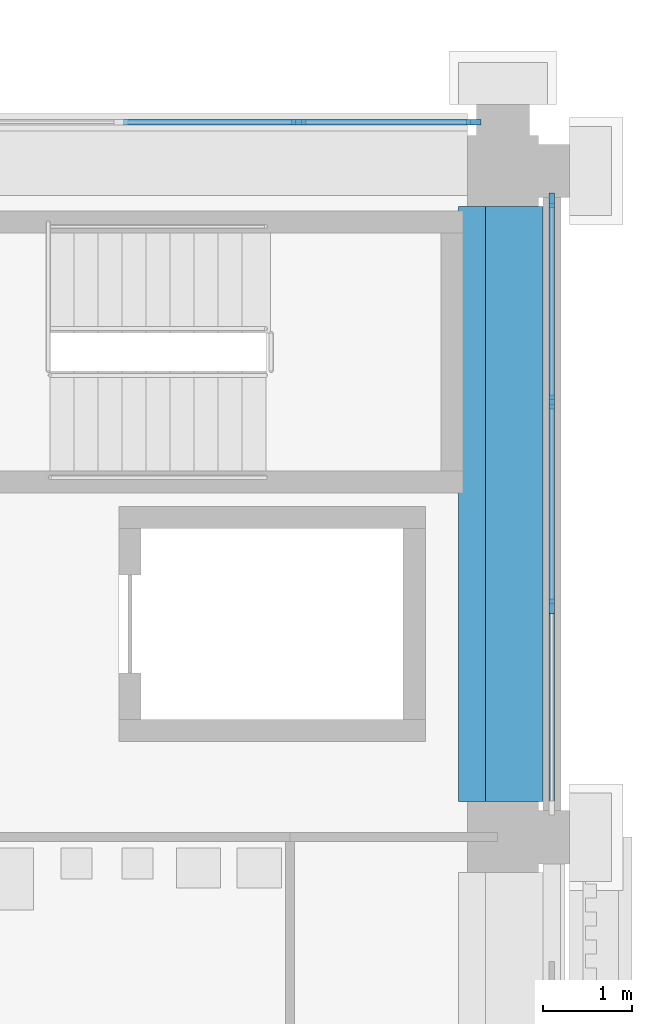
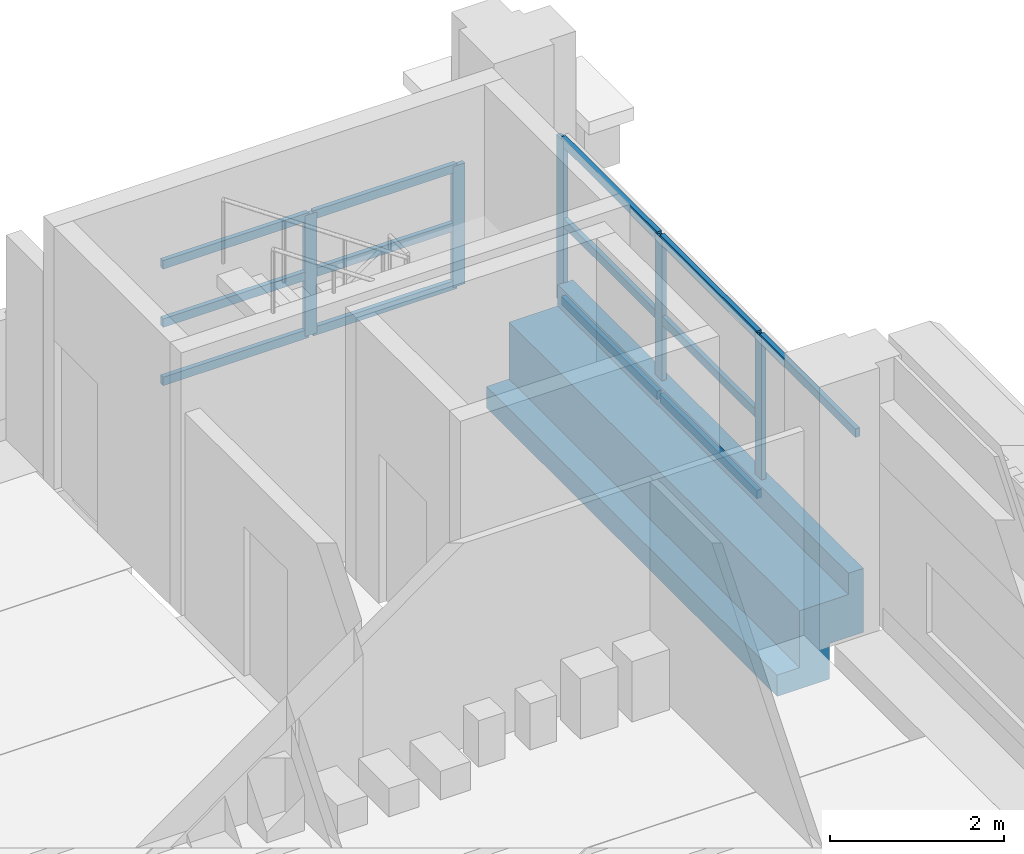
# One storey, part 21 of 71: 18 members, 1 beam, 2 elements without a shape of their own.
"""IFC4 building model written with IfcOpenShell, lengths in metres."""

import ifcopenshell
import ifcopenshell.guid

model = None  # the IFC model being written
_history = None  # IfcOwnerHistory: only IFC2X3 demands one
_inside = {}  # id of a spatial element -> (the spatial element, [elements in it])
_under = {}  # id of a project, library or spatial element -> (it, [spatial elements below it])
_declared = {}  # id of a project -> (the project, [libraries it declares])
_typed = {}  # id of a type object -> (the type object, [elements of that type])
_made_of = {}  # id of a material, layer set ... -> (it, [elements and type objects made of it])


def new_model(schema):
    """Start an empty IFC model of exactly this schema.

    Asked for "IFC4X3", IfcOpenShell would pick the latest addendum, in which some entities
    have other attributes; the version numbers below select the first issue.
    IFC2X3 requires an IfcOwnerHistory on every rooted entity: one is made here for all.
    """
    global model, _history
    if schema == "IFC4X3":
        model = ifcopenshell.file(schema_version=(4, 3, 0, 0))
    else:
        model = ifcopenshell.file(schema=schema)
    _inside.clear()
    _under.clear()
    _declared.clear()
    _typed.clear()
    _made_of.clear()
    _history = None
    if model.schema == "IFC2X3":
        org = make("IfcOrganization", Name="unknown")
        user = make(
            "IfcPersonAndOrganization",
            ThePerson=make("IfcPerson", FamilyName="unknown"),
            TheOrganization=org,
        )
        app = make(
            "IfcApplication",
            ApplicationDeveloper=org,
            Version="unknown",
            ApplicationFullName="unknown",
            ApplicationIdentifier="unknown",
        )
        _history = make(
            "IfcOwnerHistory",
            OwningUser=user,
            OwningApplication=app,
            ChangeAction="ADDED",
            CreationDate=0,
        )
    return model


def make(cls, **values):
    """One entity of the class cls with the attributes given. An attribute that is None is left unset."""
    return model.create_entity(
        cls, **{name: value for name, value in values.items() if value is not None}
    )


def rooted(cls, **values):
    """An entity with a GlobalId (a new one), such as an element, a storey or a relation."""
    return make(cls, GlobalId=ifcopenshell.guid.new(), OwnerHistory=_history, **values)


def si_unit(unit_type, name, prefix=None):
    """IfcSIUnit, for example si_unit("LENGTHUNIT", "METRE", prefix="MILLI")."""
    return make("IfcSIUnit", UnitType=unit_type, Prefix=prefix, Name=name)


def assignment(units):
    """IfcUnitAssignment: the units of a project."""
    return None if units is None else make("IfcUnitAssignment", Units=units)


def point(xyz):
    """IfcCartesianPoint."""
    return None if xyz is None else make("IfcCartesianPoint", Coordinates=xyz)


def direction(xyz):
    """IfcDirection."""
    return None if xyz is None else make("IfcDirection", DirectionRatios=xyz)


def frame(location, z_axis=None, x_axis=None):
    """IfcAxis2Placement3D, a coordinate frame: its origin and axes. An axis left out is left unset."""
    return make(
        "IfcAxis2Placement3D",
        Location=point(location),
        Axis=direction(z_axis),
        RefDirection=direction(x_axis),
    )


def frame_2d(location, x_axis=None):
    """IfcAxis2Placement2D, a coordinate frame in the plane: its origin and x axis."""
    return make(
        "IfcAxis2Placement2D", Location=point(location), RefDirection=direction(x_axis)
    )


def origin():
    """The frame at (0, 0, 0) with its axes left unset."""
    return frame((0.0, 0.0, 0.0))


def origin_2d():
    """The frame at (0, 0) in the plane with its x axis left unset."""
    return frame_2d((0.0, 0.0))


def place(relative_to, where):
    """IfcLocalPlacement: puts the frame where relative to a parent placement (None: the world)."""
    return make(
        "IfcLocalPlacement", PlacementRelTo=relative_to, RelativePlacement=where
    )


def context(
    kind, dimensions, precision=None, world=None, true_north=None, identifier=None
):
    """IfcGeometricRepresentationContext, for example the 3D "Model" context."""
    return make(
        "IfcGeometricRepresentationContext",
        ContextIdentifier=identifier,
        ContextType=kind,
        CoordinateSpaceDimension=dimensions,
        Precision=precision,
        WorldCoordinateSystem=world,
        TrueNorth=true_north,
    )


def subcontext(parent, identifier, kind, view, scale=None):
    """IfcGeometricRepresentationSubContext, for example "Body" below "Model"."""
    return make(
        "IfcGeometricRepresentationSubContext",
        ContextIdentifier=identifier,
        ContextType=kind,
        ParentContext=parent,
        TargetScale=scale,
        TargetView=view,
    )


def project(units=None, contexts=None):
    """IfcProject with its units and contexts."""
    return rooted(
        "IfcProject",
        Name="project",
        RepresentationContexts=contexts,
        UnitsInContext=assignment(units),
    )


def spatial(cls, under=None, at=None, **own):
    """A site, building, storey or space (cls), placed at a placement, below another one or the project."""
    s = rooted(cls, ObjectPlacement=at, **own)
    if under is not None:
        _under.setdefault(under.id(), (under, []))[1].append(s)
    return s


def polyline(points):
    """IfcPolyline through the points."""
    return make("IfcPolyline", Points=[point(p) for p in points])


def profile(cls, at=None, kind="AREA", **sizes):
    """A parametric profile (cls). Its sizes go by their IFC names, for example OverallWidth=200.0."""
    return make(cls, ProfileType=kind, Position=at, **sizes)


def rectangle(**sizes):
    """IfcRectangleProfileDef."""
    return profile("IfcRectangleProfileDef", **sizes)


def outline(outer, holes=None, kind="AREA"):
    """IfcArbitraryClosedProfileDef: a profile drawn as a closed curve; with holes, ...WithVoids."""
    if holes is None:
        return make("IfcArbitraryClosedProfileDef", ProfileType=kind, OuterCurve=outer)
    return make(
        "IfcArbitraryProfileDefWithVoids",
        ProfileType=kind,
        OuterCurve=outer,
        InnerCurves=holes,
    )


def extrude(swept, where, along, depth):
    """IfcExtrudedAreaSolid: the profile swept, set in the frame where, extruded along a direction by depth."""
    return make(
        "IfcExtrudedAreaSolid",
        SweptArea=swept,
        Position=where,
        ExtrudedDirection=direction(along),
        Depth=depth,
    )


def shape(context_of_items, identifier, shape_type, items):
    """IfcShapeRepresentation: the items that make up one representation, for example the "Body"."""
    return make(
        "IfcShapeRepresentation",
        ContextOfItems=context_of_items,
        RepresentationIdentifier=identifier,
        RepresentationType=shape_type,
        Items=items,
    )


def material(Name=None, Category=None):
    """IfcMaterial."""
    return make("IfcMaterial", Name=Name, Category=Category)


def layer(
    of_material, thickness, ventilated=None, Name=None, Category=None, Priority=None
):
    """IfcMaterialLayer: one layer of a wall or slab, of a material (None: an air gap)."""
    return make(
        "IfcMaterialLayer",
        Material=of_material,
        LayerThickness=thickness,
        IsVentilated=ventilated,
        Name=Name,
        Category=Category,
        Priority=Priority,
    )


def layer_set(layers, Name=None):
    """IfcMaterialLayerSet."""
    return make("IfcMaterialLayerSet", MaterialLayers=layers, LayerSetName=Name)


def material_profile(
    of_material, cross_section, Name=None, Category=None, Priority=None
):
    """IfcMaterialProfile: a cross section and its material."""
    return make(
        "IfcMaterialProfile",
        Name=Name,
        Material=of_material,
        Profile=cross_section,
        Priority=Priority,
        Category=Category,
    )


def profile_set(profiles, Name=None, composite=None):
    """IfcMaterialProfileSet."""
    return make(
        "IfcMaterialProfileSet",
        Name=Name,
        MaterialProfiles=profiles,
        CompositeProfile=composite,
    )


def made_of(thing, what):
    """Note that an element or type object is made of a material, layer set ...; save() writes the relation."""
    if what is not None:
        _made_of.setdefault(what.id(), (what, []))[1].append(thing)
    return thing


def type_object(cls, material=None, **own):
    """A type object (cls), such as IfcWallType, which elements share."""
    return made_of(rooted(cls, **own), material)


def element(
    cls,
    number,
    at=None,
    inside=None,
    cuts=None,
    type_object=None,
    material=None,
    context=None,
    identifier="Body",
    shape_type=None,
    held_by="IfcProductDefinitionShape",
    body=None,
    shapes=None,
    **own,
):
    """One element of the class cls, such as IfcWall. Its Tag is "e" and its number.

    at: its placement. inside: the storey or other place that contains it. cuts: it is an
    opening in that element (IfcRelVoidsElement). A single representation is given by context,
    identifier, shape_type and body (its items); several are given by shapes. held_by: the class
    of the entity that holds the representations. save() writes the other relations.
    """
    e = rooted(cls, Tag="e%d" % number, ObjectPlacement=at, **own)
    if body is not None:
        shapes = [shape(context, identifier, shape_type, body)]
    if shapes is not None:
        e.Representation = make(held_by, Representations=shapes)
    if inside is not None:
        _inside.setdefault(inside.id(), (inside, []))[1].append(e)
    if cuts is not None:
        rooted(
            "IfcRelVoidsElement", RelatingBuildingElement=cuts, RelatedOpeningElement=e
        )
    if type_object is not None:
        _typed.setdefault(type_object.id(), (type_object, []))[1].append(e)
    return made_of(e, material)


def aggregate(whole, parts):
    """IfcRelAggregates: a whole, such as a stair, and the parts it consists of."""
    return rooted("IfcRelAggregates", RelatingObject=whole, RelatedObjects=parts)


def save(model, path):
    """Write the relations noted so far, then the file.

    IfcRelAggregates (storeys below a building ...), IfcRelContainedInSpatialStructure (elements
    in a storey), IfcRelDefinesByType, IfcRelAssociatesMaterial and IfcRelDeclares: one each for
    every whole, place, type object, material and project.
    """
    for whole, parts in _under.values():
        aggregate(whole, parts)
    for where, things in _inside.values():
        rooted(
            "IfcRelContainedInSpatialStructure",
            RelatedElements=things,
            RelatingStructure=where,
        )
    for kind, things in _typed.values():
        rooted("IfcRelDefinesByType", RelatedObjects=things, RelatingType=kind)
    for what, things in _made_of.values():
        rooted("IfcRelAssociatesMaterial", RelatedObjects=things, RelatingMaterial=what)
    for by, libraries in _declared.values():
        rooted("IfcRelDeclares", RelatingContext=by, RelatedDefinitions=libraries)
    model.write(path)


model = new_model("IFC4")

# Units and contexts
model_context = context("Model", 3, precision=1e-05, world=origin(), true_north=direction((0.0, 1.0)))
body_context = subcontext(model_context, "Body", "Model", "MODEL_VIEW")
ifc_project = project(units=[si_unit("LENGTHUNIT", "METRE"), si_unit("AREAUNIT", "SQUARE_METRE"), si_unit("VOLUMEUNIT", "CUBIC_METRE"), si_unit("PLANEANGLEUNIT", "RADIAN"), si_unit("MASSUNIT", "GRAM", prefix="KILO")], contexts=[model_context])

# Site, building, storey
site_placement = place(None, origin())
site = spatial("IfcSite", under=ifc_project, at=site_placement, CompositionType="ELEMENT")
building_placement = place(site_placement, origin())
building = spatial("IfcBuilding", under=site, at=building_placement, Name="Cour d'Honneur Mobility Palace", CompositionType="ELEMENT")
storey_placement = place(building_placement, frame((0.0, 0.0, 15.60009765625)))
storey = spatial("IfcBuildingStorey", under=building, at=storey_placement, Name="L04", CompositionType="ELEMENT", Elevation=15.60009765625)

# Curtain wall, members
ifc_material_1 = material(Name="Aluminium and glass", Category="aluminium")
ifc_layer = layer(ifc_material_1, 0.10009765625)
ifc_layer_set = layer_set([ifc_layer], Name="Aluminium and glass")
curtain_wall_type = type_object("IfcCurtainWallType", Name="Curtain wall run", PredefinedType="NOTDEFINED", material=ifc_layer_set)
curtain_wall_1_placement = place(storey_placement, origin())
curtain_wall_1 = element("IfcCurtainWall", 1, at=curtain_wall_1_placement, inside=storey, type_object=curtain_wall_type, Name="Curtain wall CW-119", PredefinedType="NOTDEFINED")
ifc_material_2 = material(Name="Aluminium", Category="aluminium")
ifc_material_profile_1 = material_profile(ifc_material_2, rectangle(XDim=0.06005859375, YDim=0.159912109375, at=origin_2d()), Name="Curtain wall mullion")
ifc_profile_set_1 = profile_set([ifc_material_profile_1], Name="Aluminium")
member_type_1 = type_object("IfcMemberType", Name="Curtain wall mullion", PredefinedType="MULLION", material=ifc_profile_set_1)
member_1_placement = place(storey_placement, frame((162.85009765625, 110.0, 0.0), z_axis=(0.0, 0.0, 1.0), x_axis=(-1.0, 0.0, 0.0)))
member_1 = element("IfcMember", 2, at=member_1_placement, type_object=member_type_1, Name="CW-119 mullion 2", PredefinedType="MULLION", context=body_context, shape_type="SweptSolid", body=[
    extrude(rectangle(XDim=0.06005859375, YDim=0.159912109375, at=origin_2d()), origin(), (0.0, 0.0, 1.0), 2.2998046875),
])
member_2_placement = place(storey_placement, frame((162.85009765625, 112.300048828125, 0.0), z_axis=(0.0, 0.0, 1.0), x_axis=(-1.0, 0.0, 0.0)))
member_2 = element("IfcMember", 3, at=member_2_placement, type_object=member_type_1, Name="CW-119 mullion 3", PredefinedType="MULLION", context=body_context, shape_type="SweptSolid", body=[
    extrude(rectangle(XDim=0.06005859375, YDim=0.159912109375, at=origin_2d()), origin(), (0.0, 0.0, 1.0), 2.2998046875),
])
member_3_placement = place(storey_placement, frame((162.85009765625, 114.570068359375, 0.0), z_axis=(0.0, 0.0, 1.0), x_axis=(-1.0, 0.0, 0.0)))
member_3 = element("IfcMember", 4, at=member_3_placement, type_object=member_type_1, Name="CW-119 mullion 4", PredefinedType="MULLION", context=body_context, shape_type="SweptSolid", body=[
    extrude(rectangle(XDim=0.06005859375, YDim=0.159912109375, at=origin_2d()), origin(), (0.0, 0.0, 1.0), 2.2998046875),
])

curtain_wall_2_placement = place(storey_placement, origin())
curtain_wall_2 = element("IfcCurtainWall", 5, at=curtain_wall_2_placement, inside=storey, type_object=curtain_wall_type, Name="Curtain wall CW-120", PredefinedType="NOTDEFINED")
member_4_placement = place(storey_placement, frame((161.969970703125, 115.449951171875, 0.0), z_axis=(0.0, 0.0, 1.0), x_axis=(0.0, -1.0, 0.0)))
member_4 = element("IfcMember", 6, at=member_4_placement, type_object=member_type_1, Name="CW-120 mullion 1", PredefinedType="MULLION", context=body_context, shape_type="SweptSolid", body=[
    extrude(rectangle(XDim=0.06005859375, YDim=0.159912109375, at=origin_2d()), origin(), (0.0, 0.0, 1.0), 1.699951171875),
])
member_5_placement = place(storey_placement, frame((160.0, 115.449951171875, 0.0), z_axis=(0.0, 0.0, 1.0), x_axis=(0.0, -1.0, 0.0)))
member_5 = element("IfcMember", 7, at=member_5_placement, type_object=member_type_1, Name="CW-120 mullion 2", PredefinedType="MULLION", context=body_context, shape_type="SweptSolid", body=[
    extrude(rectangle(XDim=0.06005859375, YDim=0.159912109375, at=origin_2d()), origin(), (0.0, 0.0, 1.0), 1.699951171875),
])

# Member
ifc_material_3 = material(Name="Aluminium", Category="aluminium")
ifc_material_profile_2 = material_profile(ifc_material_3, rectangle(XDim=0.06005859375, YDim=0.1201171875, at=origin_2d()), Name="Curtain wall transom")
ifc_profile_set_2 = profile_set([ifc_material_profile_2], Name="Aluminium")
member_type_2 = type_object("IfcMemberType", Name="Curtain wall transom", PredefinedType="USERDEFINED", material=ifc_profile_set_2)
member_6_placement = place(storey_placement, frame((162.85009765625, 107.760009765625, 2.27001953125), z_axis=(0.0, 1.0, 0.0), x_axis=(-1.0, 0.0, 0.0)))
member_6 = element("IfcMember", 8, at=member_6_placement, type_object=member_type_2, Name="CW-119 transom 1.3", ObjectType="TRANSOM", PredefinedType="USERDEFINED", context=body_context, shape_type="SweptSolid", body=[
    extrude(rectangle(XDim=0.06005859375, YDim=0.1201171875, at=origin_2d()), origin(), (0.0, 0.0, 1.0), 2.2099609375),
])

member_7_placement = place(storey_placement, frame((162.85009765625, 110.030029296875, 0.02978515625), z_axis=(0.0, 1.0, 0.0), x_axis=(-1.0, 0.0, 0.0)))
member_7 = element("IfcMember", 9, at=member_7_placement, type_object=member_type_2, Name="CW-119 transom 2.1", ObjectType="TRANSOM", PredefinedType="USERDEFINED", context=body_context, shape_type="SweptSolid", body=[
    extrude(rectangle(XDim=0.06005859375, YDim=0.1201171875, at=origin_2d()), origin(), (0.0, 0.0, 1.0), 2.239990234375),
])

member_8_placement = place(storey_placement, frame((162.85009765625, 110.030029296875, 1.14990234375), z_axis=(0.0, 1.0, 0.0), x_axis=(-1.0, 0.0, 0.0)))
member_8 = element("IfcMember", 10, at=member_8_placement, type_object=member_type_2, Name="CW-119 transom 2.2", ObjectType="TRANSOM", PredefinedType="USERDEFINED", context=body_context, shape_type="SweptSolid", body=[
    extrude(rectangle(XDim=0.06005859375, YDim=0.1201171875, at=origin_2d()), origin(), (0.0, 0.0, 1.0), 2.239990234375),
])

member_9_placement = place(storey_placement, frame((162.85009765625, 110.030029296875, 2.27001953125), z_axis=(0.0, 1.0, 0.0), x_axis=(-1.0, 0.0, 0.0)))
member_9 = element("IfcMember", 11, at=member_9_placement, type_object=member_type_2, Name="CW-119 transom 2.3", ObjectType="TRANSOM", PredefinedType="USERDEFINED", context=body_context, shape_type="SweptSolid", body=[
    extrude(rectangle(XDim=0.06005859375, YDim=0.1201171875, at=origin_2d()), origin(), (0.0, 0.0, 1.0), 2.239990234375),
])

member_10_placement = place(storey_placement, frame((162.85009765625, 112.330078125, 0.02978515625), z_axis=(0.0, 1.0, 0.0), x_axis=(-1.0, 0.0, 0.0)))
member_10 = element("IfcMember", 12, at=member_10_placement, type_object=member_type_2, Name="CW-119 transom 3.1", ObjectType="TRANSOM", PredefinedType="USERDEFINED", context=body_context, shape_type="SweptSolid", body=[
    extrude(rectangle(XDim=0.06005859375, YDim=0.1201171875, at=origin_2d()), origin(), (0.0, 0.0, 1.0), 2.2099609375),
])

member_11_placement = place(storey_placement, frame((162.85009765625, 112.330078125, 1.14990234375), z_axis=(0.0, 1.0, 0.0), x_axis=(-1.0, 0.0, 0.0)))
member_11 = element("IfcMember", 13, at=member_11_placement, type_object=member_type_2, Name="CW-119 transom 3.2", ObjectType="TRANSOM", PredefinedType="USERDEFINED", context=body_context, shape_type="SweptSolid", body=[
    extrude(rectangle(XDim=0.06005859375, YDim=0.1201171875, at=origin_2d()), origin(), (0.0, 0.0, 1.0), 2.2099609375),
])

member_12_placement = place(storey_placement, frame((162.85009765625, 112.330078125, 2.27001953125), z_axis=(0.0, 1.0, 0.0), x_axis=(-1.0, 0.0, 0.0)))
member_12 = element("IfcMember", 14, at=member_12_placement, type_object=member_type_2, Name="CW-119 transom 3.3", ObjectType="TRANSOM", PredefinedType="USERDEFINED", context=body_context, shape_type="SweptSolid", body=[
    extrude(rectangle(XDim=0.06005859375, YDim=0.1201171875, at=origin_2d()), origin(), (0.0, 0.0, 1.0), 2.2099609375),
])

aggregate(curtain_wall_1, [member_1, member_2, member_3, member_6, member_7, member_8, member_9, member_10, member_11, member_12])

member_13_placement = place(storey_placement, frame((161.93994140625, 115.449951171875, 0.02978515625), z_axis=(-1.0, 0.0, 0.0), x_axis=(0.0, -1.0, 0.0)))
member_13 = element("IfcMember", 15, at=member_13_placement, type_object=member_type_2, Name="CW-120 transom 1.1", ObjectType="TRANSOM", PredefinedType="USERDEFINED", context=body_context, shape_type="SweptSolid", body=[
    extrude(rectangle(XDim=0.06005859375, YDim=0.1201171875, at=origin_2d()), origin(), (0.0, 0.0, 1.0), 1.909912109375),
])

member_14_placement = place(storey_placement, frame((161.93994140625, 115.449951171875, 0.849853515625), z_axis=(-1.0, 0.0, 0.0), x_axis=(0.0, -1.0, 0.0)))
member_14 = element("IfcMember", 16, at=member_14_placement, type_object=member_type_2, Name="CW-120 transom 1.2", ObjectType="TRANSOM", PredefinedType="USERDEFINED", context=body_context, shape_type="SweptSolid", body=[
    extrude(rectangle(XDim=0.06005859375, YDim=0.1201171875, at=origin_2d()), origin(), (0.0, 0.0, 1.0), 1.909912109375),
])

member_15_placement = place(storey_placement, frame((161.93994140625, 115.449951171875, 1.669921875), z_axis=(-1.0, 0.0, 0.0), x_axis=(0.0, -1.0, 0.0)))
member_15 = element("IfcMember", 17, at=member_15_placement, type_object=member_type_2, Name="CW-120 transom 1.3", ObjectType="TRANSOM", PredefinedType="USERDEFINED", context=body_context, shape_type="SweptSolid", body=[
    extrude(rectangle(XDim=0.06005859375, YDim=0.1201171875, at=origin_2d()), origin(), (0.0, 0.0, 1.0), 1.909912109375),
])

member_16_placement = place(storey_placement, frame((159.969970703125, 115.449951171875, 0.02978515625), z_axis=(-1.0, 0.0, 0.0), x_axis=(0.0, -1.0, 0.0)))
member_16 = element("IfcMember", 18, at=member_16_placement, type_object=member_type_2, Name="CW-120 transom 2.1", ObjectType="TRANSOM", PredefinedType="USERDEFINED", context=body_context, shape_type="SweptSolid", body=[
    extrude(rectangle(XDim=0.06005859375, YDim=0.1201171875, at=origin_2d()), origin(), (0.0, 0.0, 1.0), 1.93994140625),
])

member_17_placement = place(storey_placement, frame((159.969970703125, 115.449951171875, 0.849853515625), z_axis=(-1.0, 0.0, 0.0), x_axis=(0.0, -1.0, 0.0)))
member_17 = element("IfcMember", 19, at=member_17_placement, type_object=member_type_2, Name="CW-120 transom 2.2", ObjectType="TRANSOM", PredefinedType="USERDEFINED", context=body_context, shape_type="SweptSolid", body=[
    extrude(rectangle(XDim=0.06005859375, YDim=0.1201171875, at=origin_2d()), origin(), (0.0, 0.0, 1.0), 1.93994140625),
])

member_18_placement = place(storey_placement, frame((159.969970703125, 115.449951171875, 1.669921875), z_axis=(-1.0, 0.0, 0.0), x_axis=(0.0, -1.0, 0.0)))
member_18 = element("IfcMember", 20, at=member_18_placement, type_object=member_type_2, Name="CW-120 transom 2.3", ObjectType="TRANSOM", PredefinedType="USERDEFINED", context=body_context, shape_type="SweptSolid", body=[
    extrude(rectangle(XDim=0.06005859375, YDim=0.1201171875, at=origin_2d()), origin(), (0.0, 0.0, 1.0), 1.93994140625),
])

aggregate(curtain_wall_2, [member_4, member_5, member_13, member_14, member_15, member_16, member_17, member_18])

# Beam
ifc_material_4 = material(Name="Concrete C45", Category="concrete")
ifc_material_profile_3 = material_profile(ifc_material_4, outline(polyline([(0.5, -1.10009765625), (0.5, -0.800048828125), (0.199951171875, -0.800048828125), (0.199951171875, 0.0), (-0.199951171875, 0.0), (-0.449951171875, 0.0), (-0.449951171875, 0.300048828125), (-0.64990234375, 0.300048828125), (-0.64990234375, -0.60009765625), (-0.199951171875, -0.60009765625), (-0.199951171875, -1.10009765625), (0.5, -1.10009765625)])), Name="Ledger Beam 400x1100 ledge left 300 facade right")
ifc_profile_set_3 = profile_set([ifc_material_profile_3], Name="Concrete C45")
beam_type = type_object("IfcBeamType", Name="Ledger Beam 400x1100 ledge left 300 facade right", PredefinedType="BEAM", material=ifc_profile_set_3)
beam_placement = place(storey_placement, frame((162.300048828125, 107.800048828125, 0.0), z_axis=(0.0, 1.0, 0.0), x_axis=(-1.0, 0.0, 0.0)))
element("IfcBeam", 21, at=beam_placement, inside=storey, type_object=beam_type, Name="Precast beam B3 P-Q L04", PredefinedType="BEAM", context=body_context, shape_type="SweptSolid", body=[
    extrude(outline(polyline([(0.5, -1.10009765625), (0.5, -0.800048828125), (0.199951171875, -0.800048828125), (0.199951171875, 0.0), (-0.199951171875, 0.0), (-0.449951171875, 0.0), (-0.449951171875, 0.300048828125), (-0.64990234375, 0.300048828125), (-0.64990234375, -0.60009765625), (-0.199951171875, -0.60009765625), (-0.199951171875, -1.10009765625), (0.5, -1.10009765625)])), origin(), (0.0, 0.0, 1.0), 6.699951171875),
])

save(model, "model.ifc")
